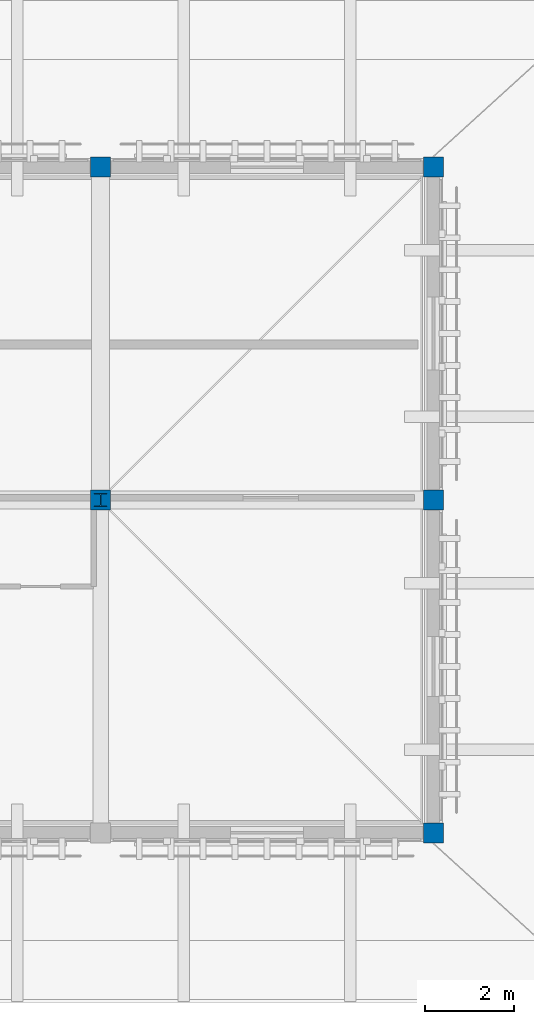
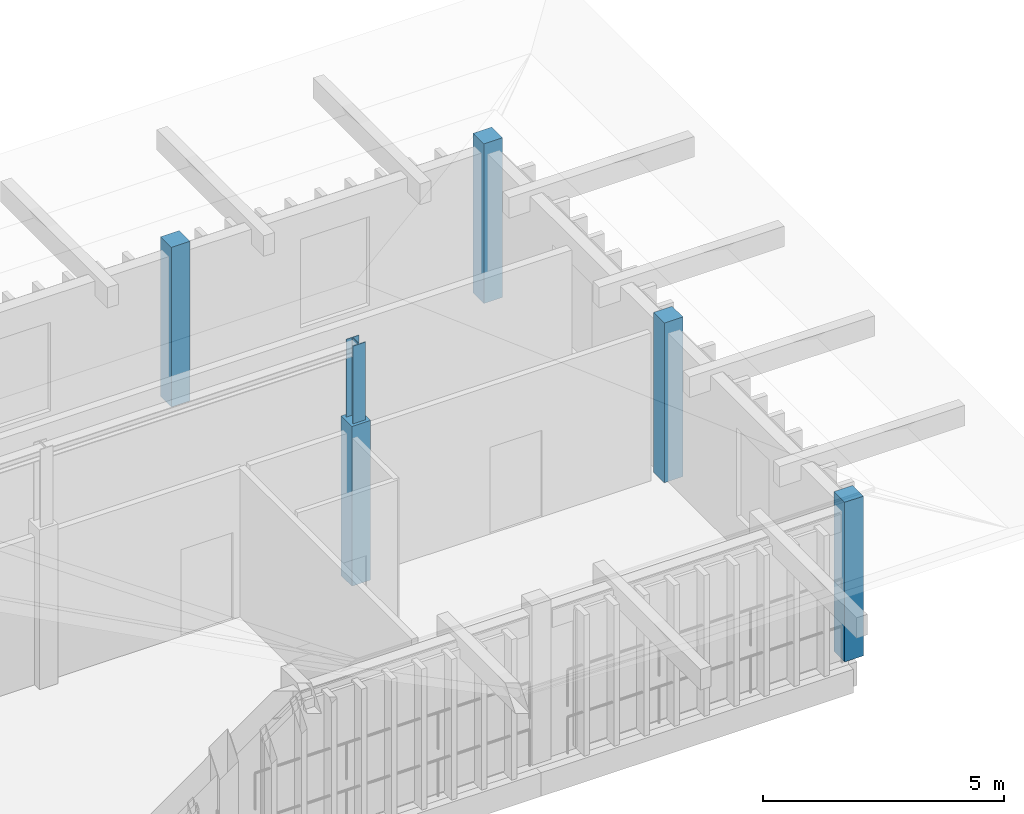
# One storey, part 7 of 33: 6 columns.
"""IFC4 building model written with IfcOpenShell, lengths in metres."""

from ifc_helpers import new_model, si_unit, direction, frame, origin, origin_2d, place, context, subcontext, project, spatial, rectangle, i_section, extrude, material, material_profile, profile_set, type_object, element, save


model = new_model("IFC4")

# Units and contexts
model_context = context("Model", 3, precision=1e-05, world=origin(), true_north=direction((0.0, 1.0)))
body_context = subcontext(model_context, "Body", "Model", "MODEL_VIEW")
ifc_project = project(units=[si_unit("LENGTHUNIT", "METRE"), si_unit("AREAUNIT", "SQUARE_METRE"), si_unit("VOLUMEUNIT", "CUBIC_METRE"), si_unit("PLANEANGLEUNIT", "RADIAN"), si_unit("MASSUNIT", "GRAM", prefix="KILO")], contexts=[model_context])

# Site, building, storey
site_placement = place(None, origin())
site = spatial("IfcSite", under=ifc_project, at=site_placement, CompositionType="ELEMENT")
building_placement = place(site_placement, origin())
building = spatial("IfcBuilding", under=site, at=building_placement, Name="Dalvernix Boulevard General Hospital", CompositionType="ELEMENT")
storey_placement = place(building_placement, frame((0.0, 0.0, 21.89990234375)))
storey = spatial("IfcBuildingStorey", under=building, at=storey_placement, Name="L05", CompositionType="ELEMENT", Elevation=21.89990234375)

# Columns
ifc_material_1 = material(Name="Concrete C40/50", Category="concrete")
ifc_material_profile_1 = material_profile(ifc_material_1, rectangle(XDim=0.449951171875, YDim=0.449951171875, at=origin_2d()), Name="RC 450x450")
ifc_profile_set_1 = profile_set([ifc_material_profile_1], Name="Concrete C40/50")
column_type_1 = type_object("IfcColumnType", Name="COL-C-10-E", PredefinedType="COLUMN", material=ifc_profile_set_1)
for number, where, z_axis, x_axis, name in (
    (1, (165.0, 22.5, 0.0), (0.0, 0.0, 1.0), (1.0, 0.0, 0.0), "L05 column 23D"),
    (2, (172.5, 7.5, 0.0), (0.0, 0.0, 1.0), (1.0, 0.0, 0.0), "L05 column 24B"),
    (3, (172.5, 15.0, 0.0), (0.0, 0.0, 1.0), (1.0, 0.0, 0.0), "L05 column 24C"),
    (4, (172.5, 22.5, 0.0), (0.0, 0.0, 1.0), (1.0, 0.0, 0.0), "L05 column 24D"),
):
    element("IfcColumn", number, at=place(storey_placement, frame(where, z_axis=z_axis, x_axis=x_axis)), inside=storey, type_object=column_type_1, Name=name, PredefinedType="COLUMN", context=body_context, shape_type="SweptSolid", body=[
        extrude(rectangle(XDim=0.449951171875, YDim=0.449951171875, at=origin_2d()), origin(), (0.0, 0.0, 1.0), 4.050048828125),
    ])
ifc_material_profile_2 = material_profile(ifc_material_1, rectangle(XDim=0.449951171875, YDim=0.449951171875, at=origin_2d()), Name="RC 450x450")
ifc_profile_set_2 = profile_set([ifc_material_profile_2], Name="Concrete C40/50")
column_type_2 = type_object("IfcColumnType", Name="COL-C-10-I", PredefinedType="COLUMN", material=ifc_profile_set_2)
column_1_placement = place(storey_placement, frame((165.0, 15.0, 0.0), z_axis=(0.0, 0.0, 1.0), x_axis=(1.0, 0.0, 0.0)))
element("IfcColumn", 5, at=column_1_placement, inside=storey, type_object=column_type_2, Name="L05 column 23C", PredefinedType="COLUMN", context=body_context, shape_type="SweptSolid", body=[
    extrude(rectangle(XDim=0.449951171875, YDim=0.449951171875, at=origin_2d()), origin(), (0.0, 0.0, 1.0), 4.050048828125),
])
ifc_material_2 = material(Name="Steel S355", Category="steel")
ifc_material_profile_3 = material_profile(ifc_material_2, i_section(OverallWidth=0.300048828125, OverallDepth=0.300048828125, WebThickness=0.010986328125, FlangeThickness=0.01904296875, FilletRadius=0.027099609375, at=origin_2d()), Name="HEB 300")
ifc_profile_set_3 = profile_set([ifc_material_profile_3], Name="Steel S355")
column_type_3 = type_object("IfcColumnType", Name="COL-C-18", PredefinedType="COLUMN", material=ifc_profile_set_3)
column_2_placement = place(storey_placement, frame((165.0, 15.0, 4.050048828125), z_axis=(0.0, 0.0, 1.0), x_axis=(1.0, 0.0, 0.0)))
element("IfcColumn", 6, at=column_2_placement, inside=storey, type_object=column_type_3, Name="V5 roof king post 23C", PredefinedType="COLUMN", context=body_context, shape_type="SweptSolid", body=[
    extrude(i_section(OverallWidth=0.300048828125, OverallDepth=0.300048828125, WebThickness=0.010986328125, FlangeThickness=0.01904296875, FilletRadius=0.027099609375, at=origin_2d()), origin(), (0.0, 0.0, 1.0), 1.97021484375),
])

save(model, "model.ifc")
